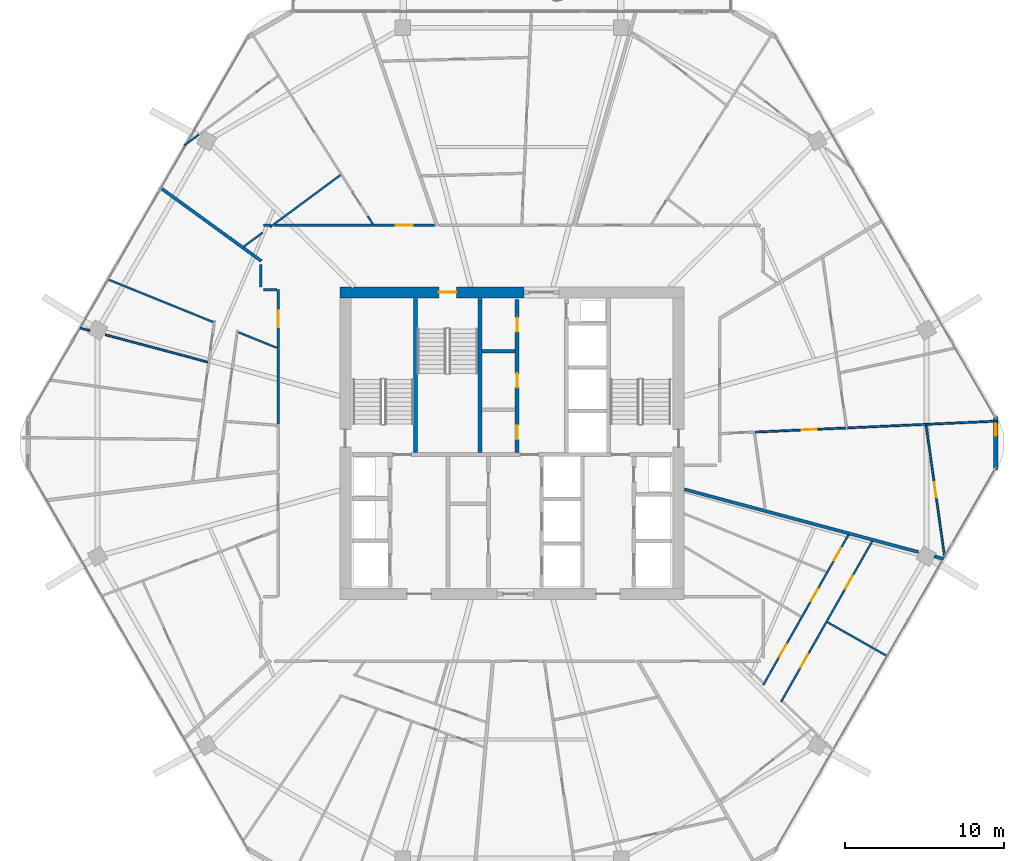
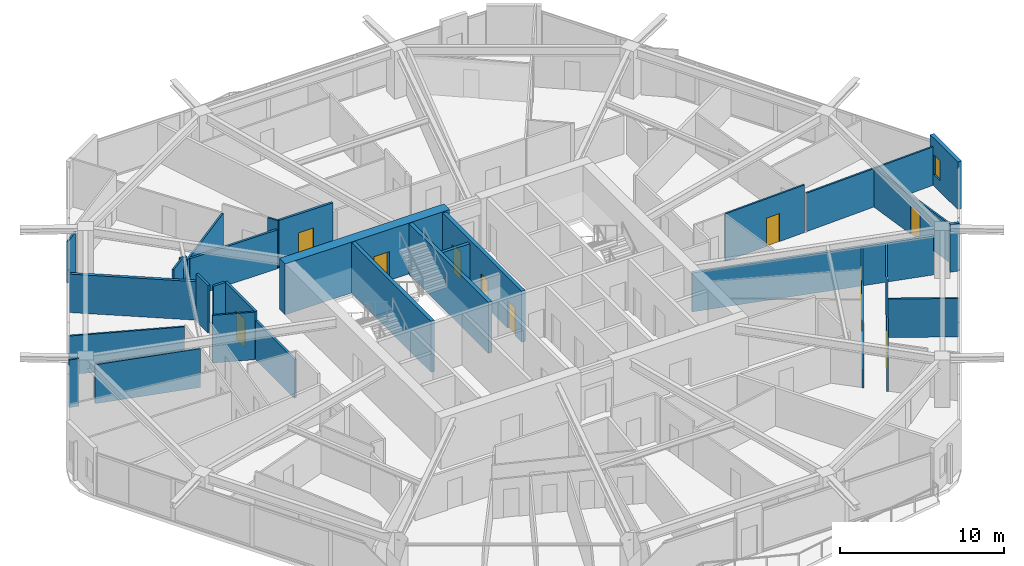
# One storey, part 21 of 25: 31 walls, 13 doors, 1 window, 14 openings.
"""IFC4 building model written with IfcOpenShell, lengths in metres."""

from ifc_helpers import new_model, si_unit, direction, frame, frame_2d, origin, place, context, subcontext, project, spatial, rectangle, extrude, material, layer, layer_set, type_object, element, fill, save


model = new_model("IFC4")

# Units and contexts
model_context = context("Model", 3, precision=1e-05, world=origin(), true_north=direction((0.0, 1.0)))
body_context = subcontext(model_context, "Body", "Model", "MODEL_VIEW")
ifc_project = project(units=[si_unit("LENGTHUNIT", "METRE"), si_unit("AREAUNIT", "SQUARE_METRE"), si_unit("VOLUMEUNIT", "CUBIC_METRE"), si_unit("PLANEANGLEUNIT", "RADIAN"), si_unit("MASSUNIT", "GRAM", prefix="KILO")], contexts=[model_context])

# Site, building, storey
site_placement = place(None, origin())
site = spatial("IfcSite", under=ifc_project, at=site_placement, CompositionType="ELEMENT")
building_placement = place(site_placement, origin())
building = spatial("IfcBuilding", under=site, at=building_placement, Name="Zuhravey Tower", CompositionType="ELEMENT")
storey_placement = place(building_placement, frame((0.0, 0.0, 196.0)))
storey = spatial("IfcBuildingStorey", under=building, at=storey_placement, Name="L49", CompositionType="ELEMENT", Elevation=196.0)

# Wall, opening, door
ifc_material_1 = material(Name="Concrete C60/75", Category="concrete")
ifc_layer_1 = layer(ifc_material_1, 0.699951171875)
ifc_layer_set_1 = layer_set([ifc_layer_1], Name="Concrete C60/75")
wall_type_1 = type_object("IfcWallType", Name="Core Shear Wall 700", PredefinedType="SHEAR", material=ifc_layer_set_1)
wall_1_placement = place(storey_placement, frame((36.75, 41.5, 0.0), z_axis=(0.0, 0.0, 1.0), x_axis=(-1.0, 0.0, 0.0)))
wall_1 = element("IfcWall", 1, at=wall_1_placement, inside=storey, type_object=wall_type_1, Name="L49 North-West Core Shear Wall CW70", PredefinedType="SHEAR", context=body_context, shape_type="SweptSolid", body=[
    extrude(rectangle(XDim=11.60009765625, YDim=0.699951171875, at=frame_2d((5.800048828125, 0.0))), origin(), (0.0, 0.0, 1.0), 3.800048828125),
])
opening_1_placement = place(wall_1_placement, frame((4.25, 0.0, 0.0)))
opening_1 = element("IfcOpeningElement", 2, at=opening_1_placement, cuts=wall_1, Name="Opening STD1", PredefinedType="OPENING", context=body_context, shape_type="SweptSolid", body=[
    extrude(rectangle(XDim=1.10009765625, YDim=2.14990234375, at=frame_2d((0.550048828125, 1.074951171875))), frame((0.0, 0.362060546875, 0.0), z_axis=(0.0, -1.0, 0.0), x_axis=(1.0, 0.0, 0.0)), (0.0, 0.0, 1.0), 0.723876953125),
])
ifc_material_2 = material(Name="Galvanised fire-rated steel leaf", Category="steel")
door_type_1 = type_object("IfcDoorType", Name="Protected Stair Fire Door 1100x2150", OperationType="NOTDEFINED", PredefinedType="USERDEFINED", material=ifc_material_2)
door_1_placement = place(opening_1_placement, origin())
door_1 = element("IfcDoor", 3, at=door_1_placement, inside=storey, type_object=door_type_1, Name="L49 Stair ST3 Door", ObjectType="EXITDOOR", OperationType="SINGLE_SWING_RIGHT", OverallHeight=2.14990234375, OverallWidth=1.10009765625, PredefinedType="USERDEFINED", context=body_context, shape_type="SweptSolid", body=[
    extrude(rectangle(XDim=1.10009765625, YDim=2.14990234375, at=frame_2d((0.550048828125, 1.074951171875))), frame((0.0, 0.02490234375, 0.0), z_axis=(0.0, -1.0, 0.0), x_axis=(1.0, 0.0, 0.0)), (0.0, 0.0, 1.0), 0.050048828125),
])
fill(opening_1, door_1)

ifc_material_3 = material(Name="Gypsum fire-rated stud partition")
ifc_layer_2 = layer(ifc_material_3, 0.159912109375)
ifc_layer_set_2 = layer_set([ifc_layer_2], Name="Gypsum fire-rated stud partition")
wall_type_2 = type_object("IfcWallType", Name="Corridor Fire Partition 160", PredefinedType="PARTITIONING", material=ifc_layer_set_2)
wall_2_placement = place(storey_placement, frame((31.11669921875, 45.72998046875, 0.0), z_axis=(0.0, 0.0, 1.0), x_axis=(-1.0, 0.0, 0.0)))
wall_2 = element("IfcWall", 4, at=wall_2_placement, inside=storey, type_object=wall_type_2, Name="L49 IW16 Partition 032", PredefinedType="PARTITIONING", context=body_context, shape_type="SweptSolid", body=[
    extrude(rectangle(XDim=3.81298828125, YDim=0.159912109375, at=frame_2d((1.906494140625, 0.0))), origin(), (0.0, 0.0, 1.0), 3.550048828125),
])
opening_2_placement = place(wall_2_placement, frame((1.381591796875, 0.0, 0.0)))
opening_2 = element("IfcOpeningElement", 5, at=opening_2_placement, cuts=wall_2, Name="Opening APD1", PredefinedType="OPENING", context=body_context, shape_type="SweptSolid", body=[
    extrude(rectangle(XDim=1.050048828125, YDim=2.14990234375, at=frame_2d((0.52490234375, 1.074951171875))), frame((0.0, 0.092041015625, 0.0), z_axis=(0.0, -1.0, 0.0), x_axis=(1.0, 0.0, 0.0)), (0.0, 0.0, 1.0), 0.183837890625),
])
ifc_material_4 = material(Name="Solid-core oak fire-rated leaf")
door_type_2 = type_object("IfcDoorType", Name="Apartment Entrance Fire Door 1050x2150", OperationType="NOTDEFINED", PredefinedType="DOOR", material=ifc_material_4)
door_2_placement = place(opening_2_placement, frame((1.050048828125, 0.0, 0.0), z_axis=(0.0, 0.0, 1.0), x_axis=(-1.0, 0.0, 0.0)))
door_2 = element("IfcDoor", 6, at=door_2_placement, inside=storey, type_object=door_type_2, Name="L49 Door 032.1", OperationType="SINGLE_SWING_LEFT", OverallHeight=2.14990234375, OverallWidth=1.050048828125, PredefinedType="DOOR", context=body_context, shape_type="SweptSolid", body=[
    extrude(rectangle(XDim=1.050048828125, YDim=2.14990234375, at=frame_2d((0.52490234375, 1.074951171875))), frame((0.0, 0.02490234375, 0.0), z_axis=(0.0, -1.0, 0.0), x_axis=(1.0, 0.0, 0.0)), (0.0, 0.0, 1.0), 0.050048828125),
])
fill(opening_2, door_2)

wall_3_placement = place(storey_placement, frame((21.27001953125, 41.669921875, 0.0), z_axis=(0.0, 0.0, 1.0), x_axis=(0.0, -1.0, 0.0)))
wall_3 = element("IfcWall", 7, at=wall_3_placement, inside=storey, type_object=wall_type_2, Name="L49 IW16 Partition 035", PredefinedType="PARTITIONING", context=body_context, shape_type="SweptSolid", body=[
    extrude(rectangle(XDim=3.67919921875, YDim=0.159912109375, at=frame_2d((1.839599609375, 0.0))), origin(), (0.0, 0.0, 1.0), 3.550048828125),
])
opening_3_placement = place(wall_3_placement, frame((1.314697265625, 0.0, 0.0)))
opening_3 = element("IfcOpeningElement", 8, at=opening_3_placement, cuts=wall_3, Name="Opening APD1", PredefinedType="OPENING", context=body_context, shape_type="SweptSolid", body=[
    extrude(rectangle(XDim=1.050048828125, YDim=2.14990234375, at=frame_2d((0.52490234375, 1.074951171875))), frame((0.0, 0.092041015625, 0.0), z_axis=(0.0, -1.0, 0.0), x_axis=(1.0, 0.0, 0.0)), (0.0, 0.0, 1.0), 0.183837890625),
])
door_3_placement = place(opening_3_placement, frame((1.050048828125, 0.0, 0.0), z_axis=(0.0, 0.0, 1.0), x_axis=(-1.0, 0.0, 0.0)))
door_3 = element("IfcDoor", 9, at=door_3_placement, inside=storey, type_object=door_type_2, Name="L49 Door 035.1", OperationType="SINGLE_SWING_RIGHT", OverallHeight=2.14990234375, OverallWidth=1.050048828125, PredefinedType="DOOR", context=body_context, shape_type="SweptSolid", body=[
    extrude(rectangle(XDim=1.050048828125, YDim=2.14990234375, at=frame_2d((0.52490234375, 1.074951171875))), frame((0.0, 0.02490234375, 0.0), z_axis=(0.0, -1.0, 0.0), x_axis=(1.0, 0.0, 0.0)), (0.0, 0.0, 1.0), 0.050048828125),
])
fill(opening_3, door_3)

# Walls
wall_4_placement = place(storey_placement, frame((27.199462890625, 45.72998046875, 0.0), z_axis=(0.0, 0.0, 1.0), x_axis=(-1.0, 0.0, 0.0)))
element("IfcWall", 10, at=wall_4_placement, inside=storey, type_object=wall_type_2, Name="L49 IW16 Partition 123", PredefinedType="PARTITIONING", context=body_context, shape_type="SweptSolid", body=[
    extrude(rectangle(XDim=6.166748046875, YDim=0.159912109375, at=frame_2d((3.08349609375, 0.0))), origin(), (0.0, 0.0, 1.0), 2.89990234375),
])
wall_5_placement = place(storey_placement, frame((20.80419921875, 45.72998046875, 0.0), z_axis=(0.0, 0.0, 1.0), x_axis=(-1.0, 0.0, 0.0)))
element("IfcWall", 11, at=wall_5_placement, inside=storey, type_object=wall_type_2, Name="L49 IW16 Partition 124", PredefinedType="PARTITIONING", context=body_context, shape_type="SweptSolid", body=[
    extrude(rectangle(XDim=0.4541015625, YDim=0.159912109375, at=frame_2d((0.22705078125, 0.0))), origin(), (0.0, 0.0, 1.0), 3.14990234375),
])
wall_6_placement = place(storey_placement, frame((20.169921875, 43.266845703125, 0.0), z_axis=(0.0, 0.0, 1.0), x_axis=(0.0, -1.0, 0.0)))
element("IfcWall", 12, at=wall_6_placement, inside=storey, type_object=wall_type_2, Name="L49 IW16 Partition 125", PredefinedType="PARTITIONING", context=body_context, shape_type="SweptSolid", body=[
    extrude(rectangle(XDim=1.416259765625, YDim=0.159912109375, at=frame_2d((0.7080078125, 0.0))), origin(), (0.0, 0.0, 1.0), 3.550048828125),
])
wall_7_placement = place(storey_placement, frame((20.3505859375, 41.669921875, 0.0), z_axis=(0.0, 0.0, 1.0), x_axis=(1.0, 0.0, 0.0)))
element("IfcWall", 13, at=wall_7_placement, inside=storey, type_object=wall_type_2, Name="L49 IW16 Partition 126", PredefinedType="PARTITIONING", context=body_context, shape_type="SweptSolid", body=[
    extrude(rectangle(XDim=0.831298828125, YDim=0.159912109375, at=frame_2d((0.41552734375, 0.0))), origin(), (0.0, 0.0, 1.0), 3.550048828125),
])
wall_8_placement = place(storey_placement, frame((21.27001953125, 37.94775390625, 0.0), z_axis=(0.0, 0.0, 1.0), x_axis=(0.0, -1.0, 0.0)))
element("IfcWall", 14, at=wall_8_placement, inside=storey, type_object=wall_type_2, Name="L49 IW16 Partition 127", PredefinedType="PARTITIONING", context=body_context, shape_type="SweptSolid", body=[
    extrude(rectangle(XDim=4.75830078125, YDim=0.159912109375, at=frame_2d((2.379150390625, 0.0))), origin(), (0.0, 0.0, 1.0), 2.89990234375),
])

# Wall, opening, window
ifc_material_5 = material(Name="Precast concrete C40/50", Category="concrete")
ifc_layer_3 = layer(ifc_material_5, 0.280029296875)
ifc_layer_set_3 = layer_set([ifc_layer_3], Name="Precast concrete C40/50")
wall_type_3 = type_object("IfcWallType", Name="Crown Architectural Wall 280", PredefinedType="SOLIDWALL", material=ifc_layer_set_3)
wall_9_placement = place(storey_placement, frame((66.4716796875, 33.6826171875, 0.0), z_axis=(0.0, 0.0, 1.0), x_axis=(0.0, -1.0, 0.0)))
wall_9 = element("IfcWall", 15, at=wall_9_placement, inside=storey, type_object=wall_type_3, Name="L49 Rounded Corner Closure Wall EW28-12", PredefinedType="SOLIDWALL", context=body_context, shape_type="SweptSolid", body=[
    extrude(rectangle(XDim=3.365234375, YDim=0.280029296875, at=frame_2d((1.6826171875, 0.0))), origin(), (0.0, 0.0, 1.0), 3.550048828125),
])
opening_4_placement = place(wall_9_placement, frame((0.473388671875, 0.0, 0.85009765625)))
opening_4 = element("IfcOpeningElement", 16, at=opening_4_placement, cuts=wall_9, Name="Opening WN5", PredefinedType="OPENING", context=body_context, shape_type="SweptSolid", body=[
    extrude(rectangle(XDim=0.75, YDim=1.5, at=frame_2d((0.375, 0.75))), frame((0.0, 0.152099609375, 0.0), z_axis=(0.0, -1.0, 0.0), x_axis=(1.0, 0.0, 0.0)), (0.0, 0.0, 1.0), 0.303955078125),
])
ifc_material_6 = material(Name="Thermally broken aluminium and triple low-E glass", Category="aluminium")
window_type = type_object("IfcWindowType", Name="Residential Corner Casement Window 750x1500", PartitioningType="SINGLE_PANEL", PredefinedType="WINDOW", material=ifc_material_6)
window_placement = place(opening_4_placement, origin())
window = element("IfcWindow", 17, at=window_placement, inside=storey, type_object=window_type, Name="L49 Corner Casement Window WN5-12.1", OverallHeight=1.5, OverallWidth=0.75, PartitioningType="SINGLE_PANEL", PredefinedType="WINDOW", context=body_context, shape_type="SweptSolid", body=[
    extrude(rectangle(XDim=0.75, YDim=1.5, at=frame_2d((0.375, 0.75))), frame((0.0, 0.030029296875, 0.0), z_axis=(0.0, -1.0, 0.0), x_axis=(1.0, 0.0, 0.0)), (0.0, 0.0, 1.0), 0.06005859375),
])
fill(opening_4, window)

# Walls
ifc_material_7 = material(Name="Concrete C50/60", Category="concrete")
ifc_layer_4 = layer(ifc_material_7, 0.25)
ifc_layer_set_4 = layer_set([ifc_layer_4], Name="Concrete C50/60")
wall_type_4 = type_object("IfcWallType", Name="Firefighting Shaft & Stair Wall 250", PredefinedType="SOLIDWALL", material=ifc_layer_set_4)
for number, where, z_axis, x_axis, name in (
    (18, (29.925048828125, 31.39990234375, 0.0), (0.0, 0.0, 1.0), (0.0, 1.0, 0.0), "L49 FW25 Shaft Wall 004"),
    (19, (33.97509765625, 31.39990234375, 0.0), (0.0, 0.0, 1.0), (0.0, 1.0, 0.0), "L49 FW25 Shaft Wall 005"),
):
    element("IfcWall", number, at=place(storey_placement, frame(where, z_axis=z_axis, x_axis=x_axis)), inside=storey, type_object=wall_type_4, Name=name, PredefinedType="SOLIDWALL", context=body_context, shape_type="SweptSolid", body=[
        extrude(rectangle(XDim=9.7001953125, YDim=0.25, at=frame_2d((4.85009765625, 0.0))), origin(), (0.0, 0.0, 1.0), 3.800048828125),
    ])

# Wall, openings, doors
wall_10_placement = place(storey_placement, frame((36.324951171875, 31.39990234375, 0.0), z_axis=(0.0, 0.0, 1.0), x_axis=(0.0, 1.0, 0.0)))
wall_10 = element("IfcWall", 20, at=wall_10_placement, inside=storey, type_object=wall_type_4, Name="L49 FW25 Shaft Wall 007", PredefinedType="SOLIDWALL", context=body_context, shape_type="SweptSolid", body=[
    extrude(rectangle(XDim=9.650146484375, YDim=0.25, at=frame_2d((4.8251953125, 0.0))), origin(), (0.0, 0.0, 1.0), 3.800048828125),
])
opening_5_placement = place(wall_10_placement, frame((0.840087890625, 0.0, 0.0)))
opening_5 = element("IfcOpeningElement", 21, at=opening_5_placement, cuts=wall_10, Name="Opening RSD1", PredefinedType="OPENING", context=body_context, shape_type="SweptSolid", body=[
    extrude(rectangle(XDim=0.89990234375, YDim=2.10009765625, at=frame_2d((0.449951171875, 1.050048828125))), frame((0.0, 0.136962890625, 0.0), z_axis=(0.0, -1.0, 0.0), x_axis=(1.0, 0.0, 0.0)), (0.0, 0.0, 1.0), 0.27392578125),
])
opening_6_placement = place(wall_10_placement, frame((4.10009765625, 0.0, 0.0)))
opening_6 = element("IfcOpeningElement", 22, at=opening_6_placement, cuts=wall_10, Name="Opening RSD1", PredefinedType="OPENING", context=body_context, shape_type="SweptSolid", body=[
    extrude(rectangle(XDim=0.89990234375, YDim=2.10009765625, at=frame_2d((0.449951171875, 1.050048828125))), frame((0.0, 0.136962890625, 0.0), z_axis=(0.0, -1.0, 0.0), x_axis=(1.0, 0.0, 0.0)), (0.0, 0.0, 1.0), 0.27392578125),
])
opening_7_placement = place(wall_10_placement, frame((7.610107421875, 0.0, 0.0)))
opening_7 = element("IfcOpeningElement", 23, at=opening_7_placement, cuts=wall_10, Name="Opening RSD1", PredefinedType="OPENING", context=body_context, shape_type="SweptSolid", body=[
    extrude(rectangle(XDim=0.89990234375, YDim=2.10009765625, at=frame_2d((0.449951171875, 1.050048828125))), frame((0.0, 0.136962890625, 0.0), z_axis=(0.0, -1.0, 0.0), x_axis=(1.0, 0.0, 0.0)), (0.0, 0.0, 1.0), 0.27392578125),
])
ifc_material_8 = material(Name="Galvanised fire-rated steel access leaf", Category="steel")
door_type_3 = type_object("IfcDoorType", Name="Riser & Shaft Access Fire Door 900x2100", OperationType="NOTDEFINED", PredefinedType="DOOR", material=ifc_material_8)
door_4_placement = place(opening_5_placement, origin())
door_4 = element("IfcDoor", 24, at=door_4_placement, inside=storey, type_object=door_type_3, Name="L49 Core Staff WC Door", OperationType="SINGLE_SWING_RIGHT", OverallHeight=2.10009765625, OverallWidth=0.89990234375, PredefinedType="DOOR", context=body_context, shape_type="SweptSolid", body=[
    extrude(rectangle(XDim=0.89990234375, YDim=2.10009765625, at=frame_2d((0.449951171875, 1.050048828125))), frame((0.0, 0.02490234375, 0.0), z_axis=(0.0, -1.0, 0.0), x_axis=(1.0, 0.0, 0.0)), (0.0, 0.0, 1.0), 0.050048828125),
])
fill(opening_5, door_4)
door_5_placement = place(opening_6_placement, origin())
door_5 = element("IfcDoor", 25, at=door_5_placement, inside=storey, type_object=door_type_3, Name="L49 IT and Comms Room Door", OperationType="SINGLE_SWING_LEFT", OverallHeight=2.10009765625, OverallWidth=0.89990234375, PredefinedType="DOOR", context=body_context, shape_type="SweptSolid", body=[
    extrude(rectangle(XDim=0.89990234375, YDim=2.10009765625, at=frame_2d((0.449951171875, 1.050048828125))), frame((0.0, 0.02490234375, 0.0), z_axis=(0.0, -1.0, 0.0), x_axis=(1.0, 0.0, 0.0)), (0.0, 0.0, 1.0), 0.050048828125),
])
fill(opening_6, door_5)
door_6_placement = place(opening_7_placement, origin())
door_6 = element("IfcDoor", 26, at=door_6_placement, inside=storey, type_object=door_type_3, Name="L49 Janitor Linen Store Door", OperationType="SINGLE_SWING_RIGHT", OverallHeight=2.10009765625, OverallWidth=0.89990234375, PredefinedType="DOOR", context=body_context, shape_type="SweptSolid", body=[
    extrude(rectangle(XDim=0.89990234375, YDim=2.10009765625, at=frame_2d((0.449951171875, 1.050048828125))), frame((0.0, 0.02490234375, 0.0), z_axis=(0.0, -1.0, 0.0), x_axis=(1.0, 0.0, 0.0)), (0.0, 0.0, 1.0), 0.050048828125),
])
fill(opening_7, door_6)

# Walls
ifc_material_9 = material(Name="Gypsum double-stud party assembly")
ifc_layer_5 = layer(ifc_material_9, 0.199951171875)
ifc_layer_set_5 = layer_set([ifc_layer_5], Name="Gypsum double-stud party assembly")
wall_type_5 = type_object("IfcWallType", Name="Inter-Tenancy Party Wall 200", PredefinedType="PARTITIONING", material=ifc_layer_set_5)
wall_11_placement = place(storey_placement, frame((20.2099609375, 43.47216796875, 0.0), z_axis=(0.0, 0.0, 1.0), x_axis=(-0.809016970463, 0.587785285205, 0.0)))
element("IfcWall", 27, at=wall_11_placement, inside=storey, type_object=wall_type_5, Name="L49 IW20 Partition 082", PredefinedType="PARTITIONING", context=body_context, shape_type="SweptSolid", body=[
    extrude(rectangle(XDim=7.8154296875, YDim=0.199951171875, at=frame_2d((3.90771484375, 0.0))), origin(), (0.0, 0.0, 1.0), 2.8701171875),
])
wall_12_placement = place(storey_placement, frame((46.85791015625, 29.090576171875, 0.0), z_axis=(0.0, 0.0, 1.0), x_axis=(0.965927861862, -0.25881144812, 0.0)))
element("IfcWall", 28, at=wall_12_placement, inside=storey, type_object=wall_type_5, Name="L49 IW20 Partition 113", PredefinedType="PARTITIONING", context=body_context, shape_type="SweptSolid", body=[
    extrude(rectangle(XDim=15.275146484375, YDim=0.199951171875, at=frame_2d((7.6376953125, 0.0))), origin(), (0.0, 0.0, 1.0), 2.89990234375),
])
wall_13_placement = place(storey_placement, frame((62.6025390625, 24.871826171875, 0.0), z_axis=(0.0, 0.0, 1.0), x_axis=(0.965944425699, -0.258749621182, 0.0)))
element("IfcWall", 29, at=wall_13_placement, inside=storey, type_object=wall_type_5, Name="L49 IW20 Partition 114", PredefinedType="PARTITIONING", context=body_context, shape_type="SweptSolid", body=[
    extrude(rectangle(XDim=0.60107421875, YDim=0.199951171875, at=frame_2d((0.300537109375, 0.0))), origin(), (0.0, 0.0, 1.0), 3.550048828125),
])
ifc_material_10 = material(Name="Gypsum acoustic stud assembly")
ifc_layer_6 = layer(ifc_material_10, 0.219970703125)
ifc_layer_set_6 = layer_set([ifc_layer_6], Name="Gypsum acoustic stud assembly")
wall_type_6 = type_object("IfcWallType", Name="School Acoustic Compartment Wall 220", PredefinedType="PARTITIONING", material=ifc_layer_set_6)
wall_14_placement = place(storey_placement, frame((34.10791015625, 37.800048828125, 0.0), z_axis=(0.0, 0.0, 1.0), x_axis=(1.0, 0.0, 0.0)))
element("IfcWall", 30, at=wall_14_placement, inside=storey, type_object=wall_type_6, Name="L49 IW22 Partition 058", PredefinedType="PARTITIONING", context=body_context, shape_type="SweptSolid", body=[
    extrude(rectangle(XDim=2.083984375, YDim=0.219970703125, at=frame_2d((1.0419921875, 0.0))), origin(), (0.0, 0.0, 1.0), 3.550048828125),
])

# Wall, openings, doors
ifc_material_11 = material(Name="Gypsum metal-stud partition")
ifc_layer_7 = layer(ifc_material_11, 0.1201171875)
ifc_layer_set_7 = layer_set([ifc_layer_7], Name="Gypsum metal-stud partition")
wall_type_7 = type_object("IfcWallType", Name="Unit Internal Partition 120", PredefinedType="PARTITIONING", material=ifc_layer_set_7)
wall_15_placement = place(storey_placement, frame((51.8271484375, 16.75830078125, 0.0), z_axis=(0.0, 0.0, 1.0), x_axis=(0.493634405262, 0.869669519957, 0.0)))
wall_15 = element("IfcWall", 31, at=wall_15_placement, inside=storey, type_object=wall_type_7, Name="L49 IW12 Partition 048", PredefinedType="PARTITIONING", context=body_context, shape_type="SweptSolid", body=[
    extrude(rectangle(XDim=10.884765625, YDim=0.1201171875, at=frame_2d((5.4423828125, 0.0))), origin(), (0.0, 0.0, 1.0), 2.89990234375),
])
opening_8_placement = place(wall_15_placement, frame((2.0361328125, 0.0, 0.0)))
opening_8 = element("IfcOpeningElement", 32, at=opening_8_placement, cuts=wall_15, Name="Opening IND1", PredefinedType="OPENING", context=body_context, shape_type="SweptSolid", body=[
    extrude(rectangle(XDim=0.949951171875, YDim=2.10009765625, at=frame_2d((0.47509765625, 1.050048828125))), frame((0.0, 0.072021484375, 0.0), z_axis=(0.0, -1.0, 0.0), x_axis=(1.0, 0.0, 0.0)), (0.0, 0.0, 1.0), 0.14404296875),
])
opening_9_placement = place(wall_15_placement, frame((6.098388671875, 0.0, 0.0)))
opening_9 = element("IfcOpeningElement", 33, at=opening_9_placement, cuts=wall_15, Name="Opening WCD1", PredefinedType="OPENING", context=body_context, shape_type="SweptSolid", body=[
    extrude(rectangle(XDim=0.89990234375, YDim=2.10009765625, at=frame_2d((0.449951171875, 1.050048828125))), frame((0.0, 0.072021484375, 0.0), z_axis=(0.0, -1.0, 0.0), x_axis=(1.0, 0.0, 0.0)), (0.0, 0.0, 1.0), 0.14404296875),
])
opening_10_placement = place(wall_15_placement, frame((9.029296875, 0.0, 0.0)))
opening_10 = element("IfcOpeningElement", 34, at=opening_10_placement, cuts=wall_15, Name="Opening WCD1", PredefinedType="OPENING", context=body_context, shape_type="SweptSolid", body=[
    extrude(rectangle(XDim=0.89990234375, YDim=2.10009765625, at=frame_2d((0.449951171875, 1.050048828125))), frame((0.0, 0.072021484375, 0.0), z_axis=(0.0, -1.0, 0.0), x_axis=(1.0, 0.0, 0.0)), (0.0, 0.0, 1.0), 0.14404296875),
])
ifc_material_12 = material(Name="Moisture-resistant timber leaf", Category="wood")
door_type_4 = type_object("IfcDoorType", Name="Bathroom & WC Internal Door 900x2100", OperationType="NOTDEFINED", PredefinedType="DOOR", material=ifc_material_12)
door_7_placement = place(opening_9_placement, origin())
door_7 = element("IfcDoor", 35, at=door_7_placement, inside=storey, type_object=door_type_4, Name="Apartment L49-08 Bathroom 1 Door", OperationType="SINGLE_SWING_RIGHT", OverallHeight=2.10009765625, OverallWidth=0.89990234375, PredefinedType="DOOR", context=body_context, shape_type="SweptSolid", body=[
    extrude(rectangle(XDim=0.89990234375, YDim=2.10009765625, at=frame_2d((0.449951171875, 1.050048828125))), frame((0.0, 0.02490234375, 0.0), z_axis=(0.0, -1.0, 0.0), x_axis=(1.0, 0.0, 0.0)), (0.0, 0.0, 1.0), 0.050048828125),
])
fill(opening_9, door_7)
door_8_placement = place(opening_10_placement, origin())
door_8 = element("IfcDoor", 36, at=door_8_placement, inside=storey, type_object=door_type_4, Name="Apartment L49-08 Bathroom 2 Door", OperationType="SINGLE_SWING_LEFT", OverallHeight=2.10009765625, OverallWidth=0.89990234375, PredefinedType="DOOR", context=body_context, shape_type="SweptSolid", body=[
    extrude(rectangle(XDim=0.89990234375, YDim=2.10009765625, at=frame_2d((0.449951171875, 1.050048828125))), frame((0.0, 0.02490234375, 0.0), z_axis=(0.0, -1.0, 0.0), x_axis=(1.0, 0.0, 0.0)), (0.0, 0.0, 1.0), 0.050048828125),
])
fill(opening_10, door_8)
ifc_material_13 = material(Name="Painted engineered timber leaf", Category="wood")
door_type_5 = type_object("IfcDoorType", Name="Internal Room & Bedroom Door 950x2100", OperationType="NOTDEFINED", PredefinedType="DOOR", material=ifc_material_13)
door_9_placement = place(opening_8_placement, origin())
door_9 = element("IfcDoor", 37, at=door_9_placement, inside=storey, type_object=door_type_5, Name="Apartment L49-08 Kitchen Door", OperationType="SINGLE_SWING_LEFT", OverallHeight=2.10009765625, OverallWidth=0.949951171875, PredefinedType="DOOR", context=body_context, shape_type="SweptSolid", body=[
    extrude(rectangle(XDim=0.949951171875, YDim=2.10009765625, at=frame_2d((0.47509765625, 1.050048828125))), frame((0.0, 0.02490234375, 0.0), z_axis=(0.0, -1.0, 0.0), x_axis=(1.0, 0.0, 0.0)), (0.0, 0.0, 1.0), 0.050048828125),
])
fill(opening_8, door_9)

wall_16_placement = place(storey_placement, frame((52.94580078125, 15.690673828125, 0.0), z_axis=(0.0, 0.0, 1.0), x_axis=(0.493647118533, 0.869662303635, 0.0)))
wall_16 = element("IfcWall", 38, at=wall_16_placement, inside=storey, type_object=wall_type_7, Name="L49 IW12 Partition 049", PredefinedType="PARTITIONING", context=body_context, shape_type="SweptSolid", body=[
    extrude(rectangle(XDim=11.63720703125, YDim=0.1201171875, at=frame_2d((5.818603515625, 0.0))), origin(), (0.0, 0.0, 1.0), 2.89990234375),
])
opening_11_placement = place(wall_16_placement, frame((2.484375, 0.0, 0.0)))
opening_11 = element("IfcOpeningElement", 39, at=opening_11_placement, cuts=wall_16, Name="Opening IND1", PredefinedType="OPENING", context=body_context, shape_type="SweptSolid", body=[
    extrude(rectangle(XDim=0.949951171875, YDim=2.10009765625, at=frame_2d((0.47509765625, 1.050048828125))), frame((0.0, 0.072021484375, 0.0), z_axis=(0.0, -1.0, 0.0), x_axis=(1.0, 0.0, 0.0)), (0.0, 0.0, 1.0), 0.14404296875),
])
opening_12_placement = place(wall_16_placement, frame((8.202880859375, 0.0, 0.0)))
opening_12 = element("IfcOpeningElement", 40, at=opening_12_placement, cuts=wall_16, Name="Opening IND1", PredefinedType="OPENING", context=body_context, shape_type="SweptSolid", body=[
    extrude(rectangle(XDim=0.949951171875, YDim=2.10009765625, at=frame_2d((0.47509765625, 1.050048828125))), frame((0.0, 0.072021484375, 0.0), z_axis=(0.0, -1.0, 0.0), x_axis=(1.0, 0.0, 0.0)), (0.0, 0.0, 1.0), 0.14404296875),
])
door_10_placement = place(opening_11_placement, frame((0.949951171875, 0.0, 0.0), z_axis=(0.0, 0.0, 1.0), x_axis=(-1.0, 0.0, 0.0)))
door_10 = element("IfcDoor", 41, at=door_10_placement, inside=storey, type_object=door_type_5, Name="Apartment L49-08 Bedroom 1 Door", OperationType="SINGLE_SWING_RIGHT", OverallHeight=2.10009765625, OverallWidth=0.949951171875, PredefinedType="DOOR", context=body_context, shape_type="SweptSolid", body=[
    extrude(rectangle(XDim=0.949951171875, YDim=2.10009765625, at=frame_2d((0.47509765625, 1.050048828125))), frame((0.0, 0.02490234375, 0.0), z_axis=(0.0, -1.0, 0.0), x_axis=(1.0, 0.0, 0.0)), (0.0, 0.0, 1.0), 0.050048828125),
])
fill(opening_11, door_10)
door_11_placement = place(opening_12_placement, frame((0.949951171875, 0.0, 0.0), z_axis=(0.0, 0.0, 1.0), x_axis=(-1.0, 0.0, 0.0)))
door_11 = element("IfcDoor", 42, at=door_11_placement, inside=storey, type_object=door_type_5, Name="Apartment L49-08 Bedroom 2 Door", OperationType="SINGLE_SWING_LEFT", OverallHeight=2.10009765625, OverallWidth=0.949951171875, PredefinedType="DOOR", context=body_context, shape_type="SweptSolid", body=[
    extrude(rectangle(XDim=0.949951171875, YDim=2.10009765625, at=frame_2d((0.47509765625, 1.050048828125))), frame((0.0, 0.02490234375, 0.0), z_axis=(0.0, -1.0, 0.0), x_axis=(1.0, 0.0, 0.0)), (0.0, 0.0, 1.0), 0.050048828125),
])
fill(opening_12, door_11)

# Wall, opening, door
wall_17_placement = place(storey_placement, frame((51.293212890625, 32.694580078125, 0.0), z_axis=(0.0, 0.0, 1.0), x_axis=(0.99897231705, 0.045324494132, 0.0)))
wall_17 = element("IfcWall", 43, at=wall_17_placement, inside=storey, type_object=wall_type_7, Name="L49 IW12 Partition 053", PredefinedType="PARTITIONING", context=body_context, shape_type="SweptSolid", body=[
    extrude(rectangle(XDim=5.725830078125, YDim=0.1201171875, at=frame_2d((2.86279296875, 0.0))), origin(), (0.0, 0.0, 1.0), 3.550048828125),
])
opening_13_placement = place(wall_17_placement, frame((2.955078125, 0.0, 0.0)))
opening_13 = element("IfcOpeningElement", 44, at=opening_13_placement, cuts=wall_17, Name="Opening IND1", PredefinedType="OPENING", context=body_context, shape_type="SweptSolid", body=[
    extrude(rectangle(XDim=0.949951171875, YDim=2.10009765625, at=frame_2d((0.47509765625, 1.050048828125))), frame((0.0, 0.072021484375, 0.0), z_axis=(0.0, -1.0, 0.0), x_axis=(1.0, 0.0, 0.0)), (0.0, 0.0, 1.0), 0.14404296875),
])
door_12_placement = place(opening_13_placement, frame((0.949951171875, 0.0, 0.0), z_axis=(0.0, 0.0, 1.0), x_axis=(-1.0, 0.0, 0.0)))
door_12 = element("IfcDoor", 45, at=door_12_placement, inside=storey, type_object=door_type_5, Name="Apartment L49-09 Home Office Door", OperationType="SINGLE_SWING_RIGHT", OverallHeight=2.10009765625, OverallWidth=0.949951171875, PredefinedType="DOOR", context=body_context, shape_type="SweptSolid", body=[
    extrude(rectangle(XDim=0.949951171875, YDim=2.10009765625, at=frame_2d((0.47509765625, 1.050048828125))), frame((0.0, 0.02490234375, 0.0), z_axis=(0.0, -1.0, 0.0), x_axis=(1.0, 0.0, 0.0)), (0.0, 0.0, 1.0), 0.050048828125),
])
fill(opening_13, door_12)

# Wall
wall_18_placement = place(storey_placement, frame((57.149658203125, 32.96044921875, 0.0), z_axis=(0.0, 0.0, 1.0), x_axis=(0.998970871776, 0.04535633741, 0.0)))
element("IfcWall", 46, at=wall_18_placement, inside=storey, type_object=wall_type_7, Name="L49 IW12 Partition 054", PredefinedType="PARTITIONING", context=body_context, shape_type="SweptSolid", body=[
    extrude(rectangle(XDim=4.962890625, YDim=0.1201171875, at=frame_2d((2.4814453125, 0.0))), origin(), (0.0, 0.0, 1.0), 2.8701171875),
])

# Wall, opening, door
wall_19_placement = place(storey_placement, frame((63.25390625, 24.848388671875, 0.0), z_axis=(0.0, 0.0, 1.0), x_axis=(-0.139181804835, 0.990266845453, 0.0)))
wall_19 = element("IfcWall", 47, at=wall_19_placement, inside=storey, type_object=wall_type_7, Name="L49 IW12 Partition 055", PredefinedType="PARTITIONING", context=body_context, shape_type="SweptSolid", body=[
    extrude(rectangle(XDim=8.349609375, YDim=0.1201171875, at=frame_2d((4.1748046875, 0.0))), origin(), (0.0, 0.0, 1.0), 2.8701171875),
])
opening_14_placement = place(wall_19_placement, frame((3.7841796875, 0.0, 0.0)))
opening_14 = element("IfcOpeningElement", 48, at=opening_14_placement, cuts=wall_19, Name="Opening IND1", PredefinedType="OPENING", context=body_context, shape_type="SweptSolid", body=[
    extrude(rectangle(XDim=0.949951171875, YDim=2.10009765625, at=frame_2d((0.47509765625, 1.050048828125))), frame((0.0, 0.072021484375, 0.0), z_axis=(0.0, -1.0, 0.0), x_axis=(1.0, 0.0, 0.0)), (0.0, 0.0, 1.0), 0.14404296875),
])
door_13_placement = place(opening_14_placement, frame((0.949951171875, 0.0, 0.0), z_axis=(0.0, 0.0, 1.0), x_axis=(-1.0, 0.0, 0.0)))
door_13 = element("IfcDoor", 49, at=door_13_placement, inside=storey, type_object=door_type_5, Name="Apartment L49-09 Bedroom 1 Door", OperationType="SINGLE_SWING_LEFT", OverallHeight=2.10009765625, OverallWidth=0.949951171875, PredefinedType="DOOR", context=body_context, shape_type="SweptSolid", body=[
    extrude(rectangle(XDim=0.949951171875, YDim=2.10009765625, at=frame_2d((0.47509765625, 1.050048828125))), frame((0.0, 0.02490234375, 0.0), z_axis=(0.0, -1.0, 0.0), x_axis=(1.0, 0.0, 0.0)), (0.0, 0.0, 1.0), 0.050048828125),
])
fill(opening_14, door_13)

# Walls
wall_20_placement = place(storey_placement, frame((27.3037109375, 45.692626953125, 0.0), z_axis=(0.0, 0.0, 1.0), x_axis=(-0.536084900609, 0.844164071339, 0.0)))
element("IfcWall", 50, at=wall_20_placement, inside=storey, type_object=wall_type_7, Name="L49 IW12 Partition 077", PredefinedType="PARTITIONING", context=body_context, shape_type="SweptSolid", body=[
    extrude(rectangle(XDim=0.719482421875, YDim=0.1201171875, at=frame_2d((0.35986328125, 0.0))), origin(), (0.0, 0.0, 1.0), 3.550048828125),
])
wall_21_placement = place(storey_placement, frame((25.19140625, 48.8916015625, 0.0), z_axis=(0.0, 0.0, 1.0), x_axis=(-0.803880830958, -0.59479039133, 0.0)))
element("IfcWall", 51, at=wall_21_placement, inside=storey, type_object=wall_type_7, Name="L49 IW12 Partition 079", PredefinedType="PARTITIONING", context=body_context, shape_type="SweptSolid", body=[
    extrude(rectangle(XDim=5.51708984375, YDim=0.1201171875, at=frame_2d((2.758544921875, 0.0))), origin(), (0.0, 0.0, 1.0), 2.89990234375),
])
wall_22_placement = place(storey_placement, frame((20.2900390625, 45.264892578125, 0.0), z_axis=(0.0, 0.0, 1.0), x_axis=(-0.803933190683, -0.594719618743, 0.0)))
element("IfcWall", 52, at=wall_22_placement, inside=storey, type_object=wall_type_7, Name="L49 IW12 Partition 080", PredefinedType="PARTITIONING", context=body_context, shape_type="SweptSolid", body=[
    extrude(rectangle(XDim=1.483154296875, YDim=0.1201171875, at=frame_2d((0.74169921875, 0.0))), origin(), (0.0, 0.0, 1.0), 3.550048828125),
])
wall_23_placement = place(storey_placement, frame((16.279541015625, 51.445068359375, 0.0), z_axis=(0.0, 0.0, 1.0), x_axis=(-0.803825783306, -0.594864783033, 0.0)))
element("IfcWall", 53, at=wall_23_placement, inside=storey, type_object=wall_type_7, Name="L49 IW12 Partition 081", PredefinedType="PARTITIONING", context=body_context, shape_type="SweptSolid", body=[
    extrude(rectangle(XDim=1.158935546875, YDim=0.1201171875, at=frame_2d((0.57958984375, 0.0))), origin(), (0.0, 0.0, 1.0), 3.1220703125),
])
wall_24_placement = place(storey_placement, frame((16.829345703125, 37.108154296875, 0.0), z_axis=(0.0, 0.0, 1.0), x_axis=(-0.966282940461, 0.257482579943, 0.0)))
element("IfcWall", 54, at=wall_24_placement, inside=storey, type_object=wall_type_7, Name="L49 IW12 Partition 084", PredefinedType="PARTITIONING", context=body_context, shape_type="SweptSolid", body=[
    extrude(rectangle(XDim=6.666748046875, YDim=0.1201171875, at=frame_2d((3.33349609375, 0.0))), origin(), (0.0, 0.0, 1.0), 2.89990234375),
])
wall_25_placement = place(storey_placement, frame((9.3974609375, 39.08837890625, 0.0), z_axis=(0.0, 0.0, 1.0), x_axis=(-0.966254166423, 0.25759053917, 0.0)))
element("IfcWall", 55, at=wall_25_placement, inside=storey, type_object=wall_type_7, Name="L49 IW12 Partition 085", PredefinedType="PARTITIONING", context=body_context, shape_type="SweptSolid", body=[
    extrude(rectangle(XDim=0.632080078125, YDim=0.1201171875, at=frame_2d((0.31591796875, 0.0))), origin(), (0.0, 0.0, 1.0), 3.550048828125),
])
wall_26_placement = place(storey_placement, frame((21.181884765625, 38.0048828125, 0.0), z_axis=(0.0, 0.0, 1.0), x_axis=(-0.926761223062, 0.375650948925, 0.0)))
element("IfcWall", 56, at=wall_26_placement, inside=storey, type_object=wall_type_7, Name="L49 IW12 Partition 088", PredefinedType="PARTITIONING", context=body_context, shape_type="SweptSolid", body=[
    extrude(rectangle(XDim=2.615966796875, YDim=0.1201171875, at=frame_2d((1.30810546875, 0.0))), origin(), (0.0, 0.0, 1.0), 3.550048828125),
])
wall_27_placement = place(storey_placement, frame((17.173828125, 39.62939453125, 0.0), z_axis=(0.0, 0.0, 1.0), x_axis=(-0.926798437472, 0.375559124906, 0.0)))
element("IfcWall", 57, at=wall_27_placement, inside=storey, type_object=wall_type_7, Name="L49 IW12 Partition 089", PredefinedType="PARTITIONING", context=body_context, shape_type="SweptSolid", body=[
    extrude(rectangle(XDim=7.14306640625, YDim=0.1201171875, at=frame_2d((3.571533203125, 0.0))), origin(), (0.0, 0.0, 1.0), 2.8701171875),
])
wall_28_placement = place(storey_placement, frame((55.87744140625, 20.71728515625, 0.0), z_axis=(0.0, 0.0, 1.0), x_axis=(0.869673507185, -0.493627380623, 0.0)))
element("IfcWall", 58, at=wall_28_placement, inside=storey, type_object=wall_type_7, Name="L49 IW12 Partition 108", PredefinedType="PARTITIONING", context=body_context, shape_type="SweptSolid", body=[
    extrude(rectangle(XDim=4.33740234375, YDim=0.1201171875, at=frame_2d((2.168701171875, 0.0))), origin(), (0.0, 0.0, 1.0), 2.8701171875),
])
wall_29_placement = place(storey_placement, frame((62.107421875, 33.185546875, 0.0), z_axis=(0.0, 0.0, 1.0), x_axis=(0.998971026313, 0.045352933617, 0.0)))
element("IfcWall", 59, at=wall_29_placement, inside=storey, type_object=wall_type_7, Name="L49 IW12 Partition 117", PredefinedType="PARTITIONING", context=body_context, shape_type="SweptSolid", body=[
    extrude(rectangle(XDim=4.451904296875, YDim=0.1201171875, at=frame_2d((2.22607421875, 0.0))), origin(), (0.0, 0.0, 1.0), 2.8701171875),
])

save(model, "model.ifc")
